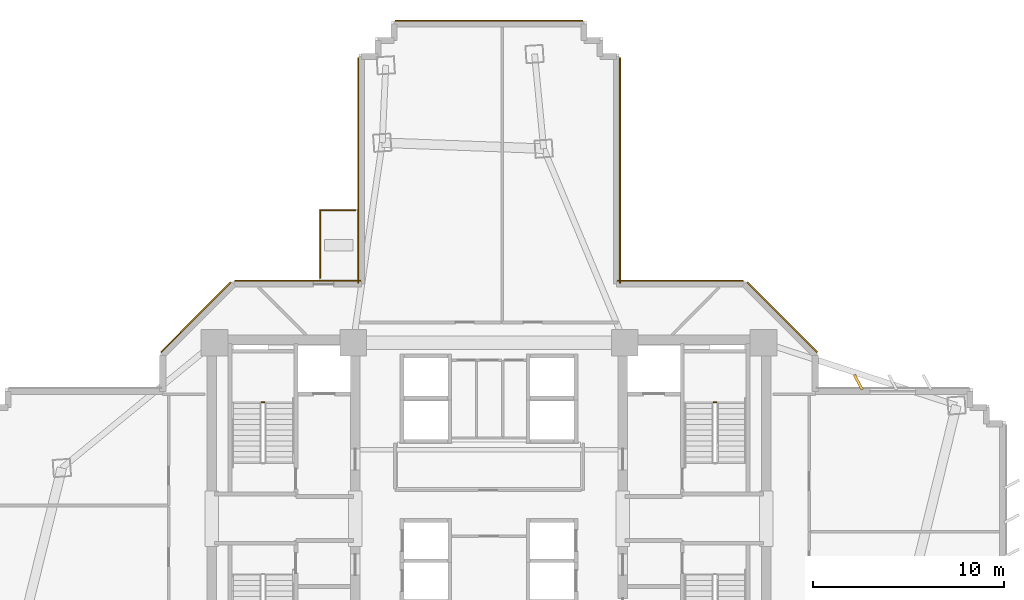
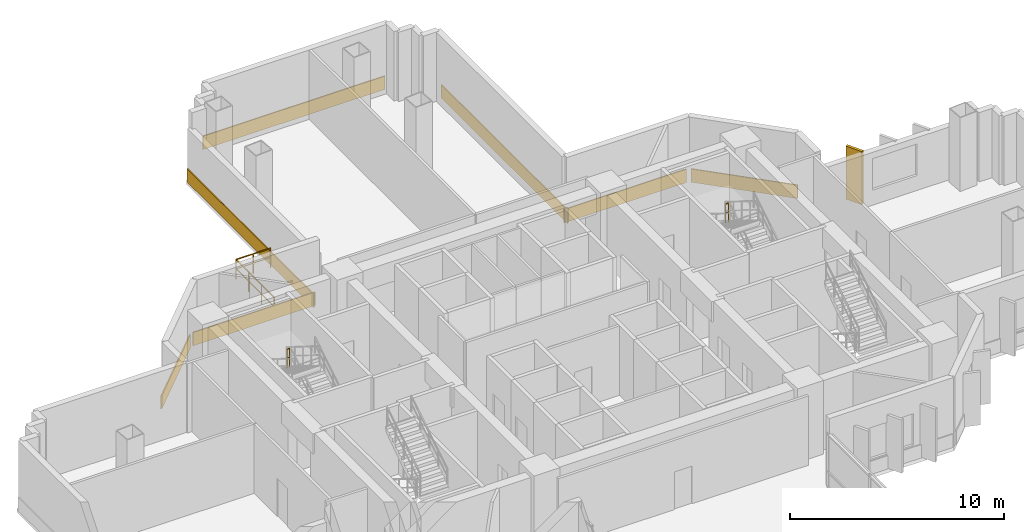
# One storey, part 13 of 14: 7 coverings, 4 railings, 1 shading device.
"""IFC4 building model written with IfcOpenShell, lengths in metres."""

from ifc_helpers import new_model, si_unit, direction, frame, origin, origin_2d, place, context, subcontext, project, spatial, rectangle, extrude, source, transform, mapped, material, layer, layer_set, type_object, element, save


model = new_model("IFC4")

# Units and contexts
model_context = context("Model", 3, precision=1e-05, world=origin(), true_north=direction((0.0, 1.0)))
body_context = subcontext(model_context, "Body", "Model", "MODEL_VIEW")
ifc_project = project(units=[si_unit("LENGTHUNIT", "METRE"), si_unit("AREAUNIT", "SQUARE_METRE"), si_unit("VOLUMEUNIT", "CUBIC_METRE"), si_unit("PLANEANGLEUNIT", "RADIAN"), si_unit("MASSUNIT", "GRAM", prefix="KILO")], contexts=[model_context])

# Site, building, storey
site_placement = place(None, origin())
site = spatial("IfcSite", under=ifc_project, at=site_placement, CompositionType="ELEMENT")
building_placement = place(site_placement, origin())
building = spatial("IfcBuilding", under=site, at=building_placement, Name="Zahravan Cultural Tower", CompositionType="ELEMENT")
storey_placement = place(building_placement, frame((0.0, 0.0, 33.300048828125)))
storey = spatial("IfcBuildingStorey", under=building, at=storey_placement, Name="L06", CompositionType="ELEMENT", Elevation=33.300048828125)

# Railings
ifc_material_1 = material(Name="Steel ASTM A572 Grade 50", Category="steel")
railing_type_1 = type_object("IfcRailingType", Name="RL-BAL-1150", PredefinedType="BALUSTRADE", material=ifc_material_1)
railing_1_placement = place(storey_placement, frame((27.169921875, 43.1298828125, 0.0)))
element("IfcRailing", 1, at=railing_1_placement, inside=storey, type_object=railing_type_1, Name="L06 Edge Balustrade GRD-TR-L06-NW-01", PredefinedType="BALUSTRADE", context=body_context, shape_type="SweptSolid", body=[
    extrude(rectangle(XDim=0.05, YDim=0.05, at=origin_2d()), frame((0.0, 0.0, 1.125), z_axis=(1.0, 0.0, 0.0), x_axis=(0.0, 1.0, 0.0)), (0.0, 0.0, 1.0), 1.85009765625),
    extrude(rectangle(XDim=0.032, YDim=0.032, at=origin_2d()), frame((0.0, 0.0, 0.597900390625), z_axis=(1.0, 0.0, 0.0), x_axis=(0.0, 1.0, 0.0)), (0.0, 0.0, 1.0), 1.85009765625),
    extrude(rectangle(XDim=0.04, YDim=0.04, at=origin_2d()), origin(), (0.0, 0.0, 1.0), 1.14990234375),
    extrude(rectangle(XDim=0.04, YDim=0.04, at=origin_2d()), frame((0.925048828125, 0.0, 0.0)), (0.0, 0.0, 1.0), 1.14990234375),
    extrude(rectangle(XDim=0.04, YDim=0.04, at=origin_2d()), frame((1.85009765625, 0.0, 0.0)), (0.0, 0.0, 1.0), 1.14990234375),
])
railing_2_placement = place(storey_placement, frame((27.169921875, 39.580078125, 0.0)))
element("IfcRailing", 2, at=railing_2_placement, inside=storey, type_object=railing_type_1, Name="L06 Edge Balustrade GRD-TR-L06-NW-02", PredefinedType="BALUSTRADE", context=body_context, shape_type="SweptSolid", body=[
    extrude(rectangle(XDim=0.05, YDim=0.05, at=origin_2d()), frame((0.0, 0.0, 1.125), z_axis=(0.0, 1.0, 0.0), x_axis=(-1.0, 0.0, 0.0)), (0.0, 0.0, 1.0), 3.5498046875),
    extrude(rectangle(XDim=0.032, YDim=0.032, at=origin_2d()), frame((0.0, 0.0, 0.597900390625), z_axis=(0.0, 1.0, 0.0), x_axis=(-1.0, 0.0, 0.0)), (0.0, 0.0, 1.0), 3.5498046875),
    extrude(rectangle(XDim=0.04, YDim=0.04, at=origin_2d()), origin(), (0.0, 0.0, 1.0), 1.14990234375),
    extrude(rectangle(XDim=0.04, YDim=0.04, at=origin_2d()), frame((0.0, 1.183349609375, 0.0)), (0.0, 0.0, 1.0), 1.14990234375),
    extrude(rectangle(XDim=0.04, YDim=0.04, at=origin_2d()), frame((0.0, 2.366455078125, 0.0)), (0.0, 0.0, 1.0), 1.14990234375),
    extrude(rectangle(XDim=0.04, YDim=0.04, at=origin_2d()), frame((0.0, 3.5498046875, 0.0)), (0.0, 0.0, 1.0), 1.14990234375),
])
railing_type_2 = type_object("IfcRailingType", Name="RL-STAIR-GRD1150", PredefinedType="BALUSTRADE", material=ifc_material_1)
for number, where, name in (
    (3, (24.25, 33.080078125, 2.099853515625), "L06 ST-W1 stair guard 2"),
    (4, (47.89990234375, 33.080078125, 2.099853515625), "L06 ST-E1 stair guard 2"),
):
    element("IfcRailing", number, at=place(storey_placement, frame(where)), inside=storey, type_object=railing_type_2, Name=name, PredefinedType="BALUSTRADE", context=body_context, shape_type="SweptSolid", body=[
        extrude(rectangle(XDim=0.05, YDim=0.05, at=origin_2d()), frame((0.0, 0.0, 1.0751953125), z_axis=(-1.0, 0.0, 0.0), x_axis=(0.0, -1.0, 0.0)), (0.0, 0.0, 1.0), 0.14990234375),
        extrude(rectangle(XDim=0.032, YDim=0.032, at=origin_2d()), frame((0.0, 0.0, 0.572021484375), z_axis=(-1.0, 0.0, 0.0), x_axis=(0.0, -1.0, 0.0)), (0.0, 0.0, 1.0), 0.14990234375),
        extrude(rectangle(XDim=0.04, YDim=0.04, at=origin_2d()), origin(), (0.0, 0.0, 1.0), 1.10009765625),
        extrude(rectangle(XDim=0.04, YDim=0.04, at=origin_2d()), frame((-0.14990234375, 0.0, 0.0)), (0.0, 0.0, 1.0), 1.10009765625),
    ])

# Shading device
ifc_material_2 = material(Name="Architectural terracotta fin", Category="masonry")
shading_device_type = type_object("IfcShadingDeviceType", Name="SHD-FIN-880", PredefinedType="USERDEFINED", material=ifc_material_2)
shared_shape_1 = source(origin(), body_context, "Body", "SweptSolid", [
    extrude(rectangle(XDim=0.8798828125, YDim=0.139892578125, at=origin_2d()), origin(), (0.0, 0.0, 1.0), 3.030029296875),
])
shading_device_placement = place(storey_placement, frame((55.31005859375, 34.1298828125, 0.0498046875), z_axis=(0.0, 0.0, 1.0), x_axis=(-0.469471562786, 0.882947592859, 0.0)))
element("IfcShadingDevice", 5, at=shading_device_placement, inside=storey, type_object=shading_device_type, Name="L06 Herringbone Terracotta Fin 01", ObjectType="FIN", PredefinedType="USERDEFINED", context=body_context, shape_type="MappedRepresentation", body=[
    mapped(shared_shape_1, transform((0.0, 0.0, 0.0), x_axis=(1.0, 0.0, 0.0), y_axis=(0.0, 1.0, 0.0), z_axis=(0.0, 0.0, 1.0), scale=1.0)),
])

# Coverings
ifc_material_3 = material(Name="Terracotta ceramic cladding", Category="masonry")
ifc_layer = layer(ifc_material_3, 0.06005859375)
ifc_layer_set = layer_set([ifc_layer], Name="Terracotta ceramic cladding")
covering_type = type_object("IfcCoveringType", Name="COV-CLAD-TC60", PredefinedType="CLADDING", material=ifc_layer_set)
shared_shape_2 = source(origin(), body_context, "Body", "SweptSolid", [
    extrude(rectangle(XDim=9.820068359375, YDim=0.06005859375, at=origin_2d()), origin(), (0.0, 0.0, 1.0), 0.760009765625),
])
covering_placement = place(storey_placement, frame((36.0, 53.044921875, 0.02001953125), z_axis=(0.0, 0.0, 1.0), x_axis=(1.0, 0.0, 0.0)))
element("IfcCovering", 6, at=covering_placement, inside=storey, type_object=covering_type, Name="L06 Terracotta Spandrel Cladding 46", PredefinedType="CLADDING", context=body_context, shape_type="MappedRepresentation", body=[
    mapped(shared_shape_2, transform((0.0, 0.0, 0.0), x_axis=(1.0, 0.0, 0.0), y_axis=(0.0, 1.0, 0.0), z_axis=(0.0, 0.0, 1.0), scale=1.0)),
])
shared_shape_3 = source(origin(), body_context, "Body", "SweptSolid", [
    extrude(rectangle(XDim=5.157958984375, YDim=0.06005859375, at=origin_2d()), origin(), (0.0, 0.0, 1.0), 0.760009765625),
])
for number, where, z_axis, x_axis, name in (
    (7, (20.668212890625, 37.53173828125, 0.02001953125), (0.0, 0.0, 1.0), (0.707106781187, 0.707106781187, 0.0), "L06 Terracotta Spandrel Cladding 39"),
    (8, (51.331787109375, 37.53173828125, 0.02001953125), (0.0, 0.0, 1.0), (0.707106781187, -0.707106781187, 0.0), "L06 Terracotta Spandrel Cladding 53"),
):
    element("IfcCovering", number, at=place(storey_placement, frame(where, z_axis=z_axis, x_axis=x_axis)), inside=storey, type_object=covering_type, Name=name, PredefinedType="CLADDING", context=body_context, shape_type="MappedRepresentation", body=[
        mapped(shared_shape_3, transform((0.0, 0.0, 0.0), x_axis=(1.0, 0.0, 0.0), y_axis=(0.0, 1.0, 0.0), z_axis=(0.0, 0.0, 1.0), scale=1.0)),
    ])
shared_shape_4 = source(origin(), body_context, "Body", "SweptSolid", [
    extrude(rectangle(XDim=6.58203125, YDim=0.06005859375, at=origin_2d()), origin(), (0.0, 0.0, 1.0), 0.760009765625),
])
for number, where, z_axis, x_axis, name in (
    (9, (25.9990234375, 39.445068359375, 0.02001953125), (0.0, 0.0, 1.0), (1.0, 0.0, 0.0), "L06 Terracotta Spandrel Cladding 40"),
    (10, (46.0009765625, 39.445068359375, 0.02001953125), (0.0, 0.0, 1.0), (1.0, 0.0, 0.0), "L06 Terracotta Spandrel Cladding 52"),
):
    element("IfcCovering", number, at=place(storey_placement, frame(where, z_axis=z_axis, x_axis=x_axis)), inside=storey, type_object=covering_type, Name=name, PredefinedType="CLADDING", context=body_context, shape_type="MappedRepresentation", body=[
        mapped(shared_shape_4, transform((0.0, 0.0, 0.0), x_axis=(1.0, 0.0, 0.0), y_axis=(0.0, 1.0, 0.0), z_axis=(0.0, 0.0, 1.0), scale=1.0)),
    ])
shared_shape_5 = source(origin(), body_context, "Body", "SweptSolid", [
    extrude(rectangle(XDim=11.800048828125, YDim=0.06005859375, at=origin_2d()), origin(), (0.0, 0.0, 1.0), 0.760009765625),
])
for number, where, z_axis, x_axis, name in (
    (11, (29.155029296875, 45.2099609375, 0.02001953125), (0.0, 0.0, 1.0), (0.0, 1.0, 0.0), "L06 Terracotta Spandrel Cladding 41"),
    (12, (42.844970703125, 45.2099609375, 0.02001953125), (0.0, 0.0, 1.0), (0.0, -1.0, 0.0), "L06 Terracotta Spandrel Cladding 51"),
):
    element("IfcCovering", number, at=place(storey_placement, frame(where, z_axis=z_axis, x_axis=x_axis)), inside=storey, type_object=covering_type, Name=name, PredefinedType="CLADDING", context=body_context, shape_type="MappedRepresentation", body=[
        mapped(shared_shape_5, transform((0.0, 0.0, 0.0), x_axis=(1.0, 0.0, 0.0), y_axis=(0.0, 1.0, 0.0), z_axis=(0.0, 0.0, 1.0), scale=1.0)),
    ])

save(model, "model.ifc")
